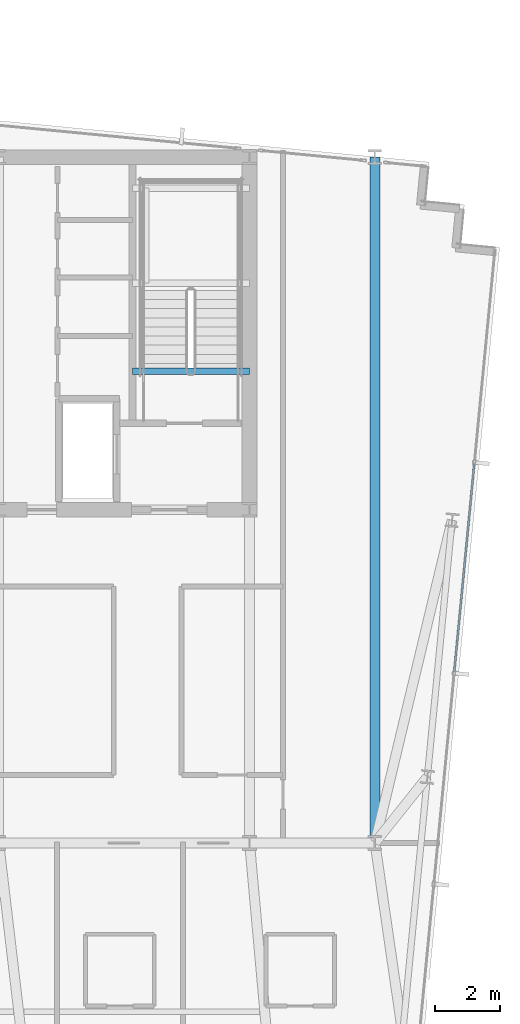
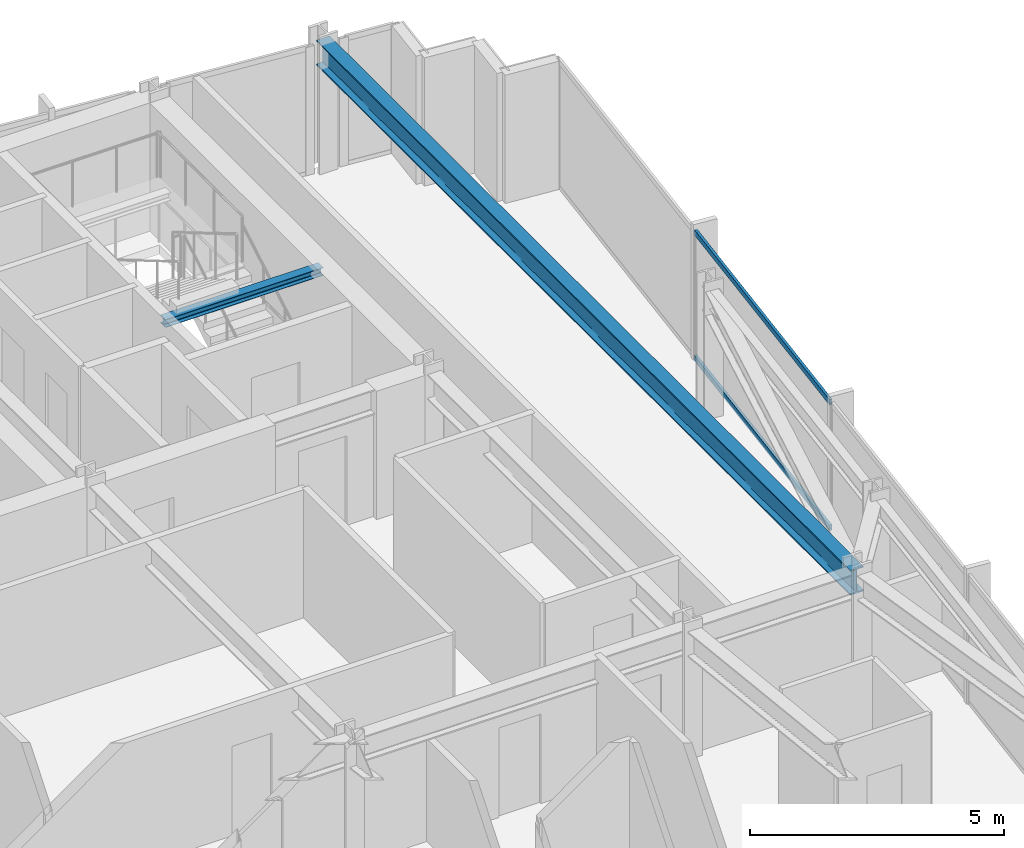
# One storey, part 19 of 38: 2 beams, 2 members, 1 element without a shape of its own.
"""IFC4 building model written with IfcOpenShell, lengths in metres."""

from ifc_helpers import new_model, si_unit, direction, frame, origin, origin_2d, place, context, subcontext, project, spatial, hollow_rectangle, i_section, extrude, material, material_profile, profile_set, type_object, element, aggregate, save


model = new_model("IFC4")

# Units and contexts
model_context = context("Model", 3, precision=1e-05, world=origin(), true_north=direction((0.0, 1.0)))
body_context = subcontext(model_context, "Body", "Model", "MODEL_VIEW")
ifc_project = project(units=[si_unit("LENGTHUNIT", "METRE"), si_unit("AREAUNIT", "SQUARE_METRE"), si_unit("VOLUMEUNIT", "CUBIC_METRE"), si_unit("PLANEANGLEUNIT", "RADIAN"), si_unit("MASSUNIT", "GRAM", prefix="KILO")], contexts=[model_context])

# Site, building, storey
site_placement = place(None, origin())
site = spatial("IfcSite", under=ifc_project, at=site_placement, CompositionType="ELEMENT")
building_placement = place(site_placement, origin())
building = spatial("IfcBuilding", under=site, at=building_placement, Name="Yelkora Congress Tower", CompositionType="ELEMENT")
storey_placement = place(building_placement, frame((0.0, 0.0, 155.60009765625)))
storey = spatial("IfcBuildingStorey", under=building, at=storey_placement, Name="L42", CompositionType="ELEMENT", Elevation=155.60009765625)

# Beams
ifc_material_1 = material(Name="Steel S355J2", Category="steel")
ifc_material_profile_1 = material_profile(ifc_material_1, i_section(OverallWidth=0.300048828125, OverallDepth=0.60009765625, WebThickness=0.015380859375, FlangeThickness=0.030029296875, FilletRadius=0.027099609375, at=origin_2d()), Name="HEB 600")
ifc_profile_set_1 = profile_set([ifc_material_profile_1], Name="Steel S355J2")
beam_type_1 = type_object("IfcBeamType", Name="BM-GIRD-HEB600", PredefinedType="BEAM", material=ifc_profile_set_1)
beam_1_placement = place(storey_placement, frame((57.60009765625, 25.199951171875, 2.77978515625), z_axis=(0.0, 1.0, 0.0), x_axis=(-1.0, 0.0, 0.0)))
element("IfcBeam", 1, at=beam_1_placement, inside=storey, type_object=beam_type_1, Name="L42 Neck Flank Girder MC-F2", PredefinedType="BEAM", context=body_context, shape_type="SweptSolid", body=[
    extrude(i_section(OverallWidth=0.300048828125, OverallDepth=0.60009765625, WebThickness=0.015380859375, FlangeThickness=0.030029296875, FilletRadius=0.027099609375, at=origin_2d()), origin(), (0.0, 0.0, 1.0), 21.0),
])
ifc_material_profile_2 = material_profile(ifc_material_1, i_section(OverallWidth=0.199951171875, OverallDepth=0.18994140625, WebThickness=0.006591796875, FlangeThickness=0.010009765625, FilletRadius=0.01806640625, at=origin_2d()), Name="HEA 200")
ifc_profile_set_2 = profile_set([ifc_material_profile_2], Name="Steel S355J2")
beam_type_2 = type_object("IfcBeamType", Name="BM-LAND-HEA200", PredefinedType="BEAM", material=ifc_profile_set_2)
beam_2_placement = place(storey_placement, frame((50.179931640625, 39.639892578125, 2.853759765625), z_axis=(1.0, 0.0, 0.0), x_axis=(0.0, 1.0, 0.0)))
element("IfcBeam", 2, at=beam_2_placement, inside=storey, type_object=beam_type_2, Name="ST-02 L42 Floor Arrival Stringer Header Beam", PredefinedType="BEAM", context=body_context, shape_type="SweptSolid", body=[
    extrude(i_section(OverallWidth=0.199951171875, OverallDepth=0.18994140625, WebThickness=0.006591796875, FlangeThickness=0.010009765625, FilletRadius=0.01806640625, at=origin_2d()), origin(), (0.0, 0.0, 1.0), 3.580078125),
])

# Curtain wall, members
ifc_material_2 = material(Name="Anodised aluminium and insulated glass", Category="aluminium")
curtain_wall_type = type_object("IfcCurtainWallType", Name="CW-SYS-B3", PredefinedType="NOTDEFINED", material=ifc_material_2)
curtain_wall_placement = place(storey_placement, origin())
curtain_wall = element("IfcCurtainWall", 3, at=curtain_wall_placement, inside=storey, type_object=curtain_wall_type, Name="L42 Unitised Curtain Wall 15", PredefinedType="NOTDEFINED")
ifc_material_3 = material(Name="Anodised aluminium 6063-T6", Category="aluminium")
ifc_material_profile_3 = material_profile(ifc_material_3, hollow_rectangle(XDim=0.06005859375, YDim=0.1298828125, WallThickness=0.00390625, at=origin_2d()), Name="ALU 60x130x4")
ifc_profile_set_3 = profile_set([ifc_material_profile_3], Name="Anodised aluminium 6063-T6")
member_type = type_object("IfcMemberType", Name="MEM-TR-B3", PredefinedType="USERDEFINED", material=ifc_profile_set_3)
member_1_placement = place(storey_placement, frame((60.642822265625, 36.81494140625, 0.02978515625), z_axis=(-0.095843682057, -0.995396397728, 0.0), x_axis=(0.995396397728, -0.095843682057, 0.0)))
member_1 = element("IfcMember", 4, at=member_1_placement, type_object=member_type, Name="CW-B3 transom 2.1", ObjectType="TRANSOM", PredefinedType="USERDEFINED", context=body_context, shape_type="SweptSolid", body=[
    extrude(hollow_rectangle(XDim=0.06005859375, YDim=0.1298828125, WallThickness=0.00390625, at=origin_2d()), origin(), (0.0, 0.0, 1.0), 6.4140625),
])
member_2_placement = place(storey_placement, frame((60.642822265625, 36.81494140625, 3.0498046875), z_axis=(-0.095843682057, -0.995396397728, 0.0), x_axis=(0.995396397728, -0.095843682057, 0.0)))
member_2 = element("IfcMember", 5, at=member_2_placement, type_object=member_type, Name="CW-B3 transom 2.2", ObjectType="TRANSOM", PredefinedType="USERDEFINED", context=body_context, shape_type="SweptSolid", body=[
    extrude(hollow_rectangle(XDim=0.06005859375, YDim=0.1298828125, WallThickness=0.00390625, at=origin_2d()), origin(), (0.0, 0.0, 1.0), 6.4140625),
])
aggregate(curtain_wall, [member_1, member_2])

save(model, "model.ifc")
